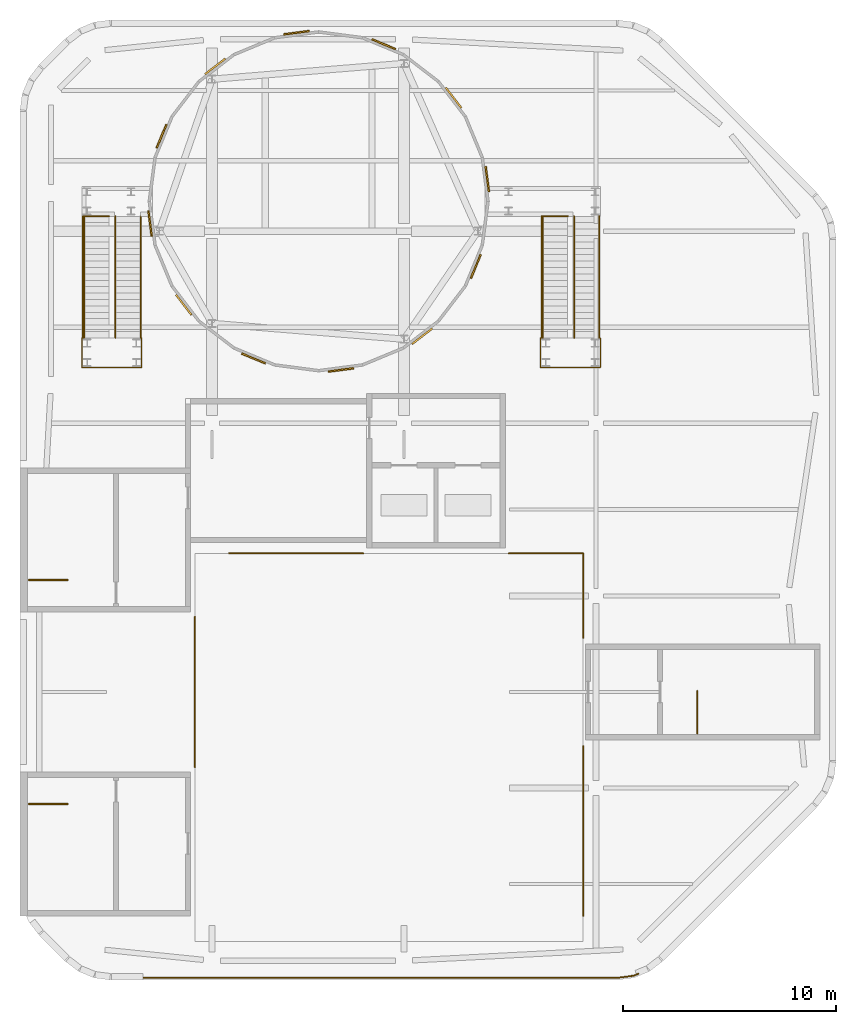
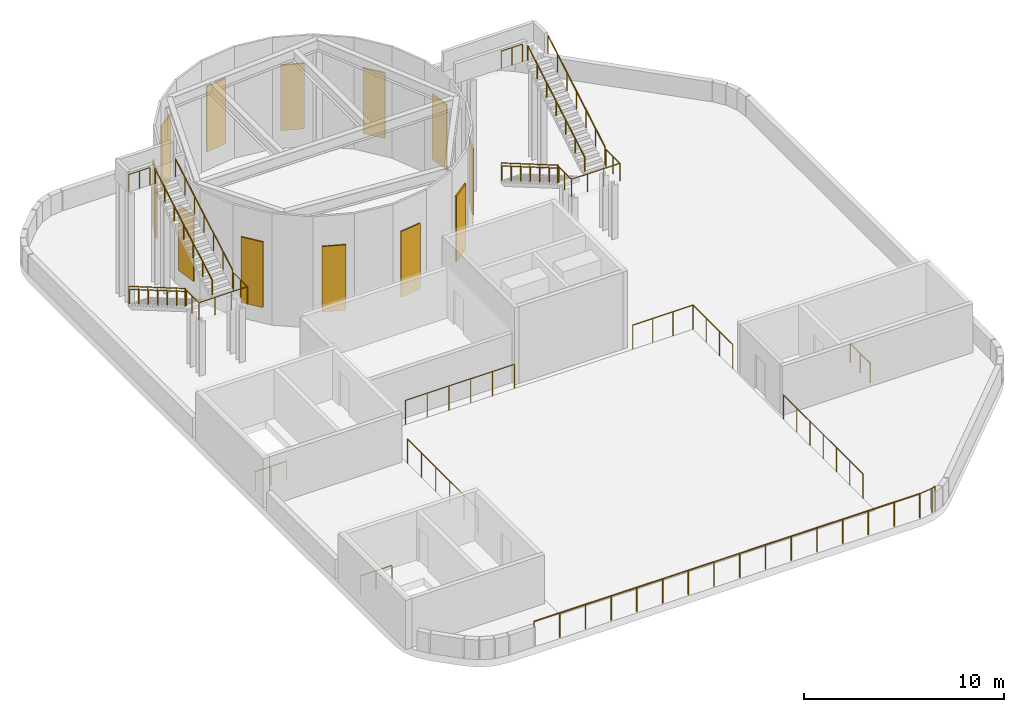
# One storey, part 5 of 6: 21 railings, 12 shading devices, 2 elements without a shape of their own.
"""IFC4 building model written with IfcOpenShell, lengths in metres."""

from ifc_helpers import new_model, si_unit, direction, frame, origin, origin_2d, place, context, subcontext, project, spatial, rectangle, circle, extrude, material, type_object, element, aggregate, save


model = new_model("IFC4")

# Units and contexts
model_context = context("Model", 3, precision=1e-05, world=origin(), true_north=direction((0.0, 1.0)))
body_context = subcontext(model_context, "Body", "Model", "MODEL_VIEW")
ifc_project = project(units=[si_unit("LENGTHUNIT", "METRE"), si_unit("AREAUNIT", "SQUARE_METRE"), si_unit("VOLUMEUNIT", "CUBIC_METRE"), si_unit("PLANEANGLEUNIT", "RADIAN"), si_unit("MASSUNIT", "GRAM", prefix="KILO")], contexts=[model_context])

# Site, building, storey
site_placement = place(None, origin())
site = spatial("IfcSite", under=ifc_project, at=site_placement, CompositionType="ELEMENT")
building_placement = place(site_placement, origin())
building = spatial("IfcBuilding", under=site, at=building_placement, Name="Cinnabar Reach Civic Tower", CompositionType="ELEMENT")
storey_placement = place(building_placement, frame((0.0, 0.0, 298.0)))
storey = spatial("IfcBuildingStorey", under=building, at=storey_placement, Name="Roof", CompositionType="ELEMENT", Elevation=298.0)

# Shading devices
ifc_material_1 = material(Name="Aluminium louvre", Category="aluminium")
shading_device_type = type_object("IfcShadingDeviceType", Name="Facade plant louvre", PredefinedType="JALOUSIE", material=ifc_material_1)
for number, where, z_axis, x_axis, name in (
    (1, (21.9034, 55.5405, 1.0), (0.0, 0.0, 1.0), (-0.13052619222, 0.991444861374, 0.0), "Plant louvre"),
    (2, (20.3243, 59.3528, 1.0), (0.0, 0.0, 1.0), (-0.608761429009, 0.793353340291, 0.0), "Plant louvre"),
    (3, (17.0506, 61.8648, 1.0), (0.0, 0.0, 1.0), (-0.923879532511, 0.382683432365, 0.0), "Plant louvre"),
    (4, (12.9595, 62.4034, 1.0), (0.0, 0.0, 1.0), (-0.991444861374, -0.13052619222, 0.0), "Plant louvre"),
    (5, (9.1472, 60.8243, 1.0), (0.0, 0.0, 1.0), (-0.793353340291, -0.608761429009, 0.0), "Plant louvre"),
    (6, (6.6352, 57.5506, 1.0), (0.0, 0.0, 1.0), (-0.382683432365, -0.923879532511, 0.0), "Plant louvre"),
    (7, (6.0966, 53.4595, 1.0), (0.0, 0.0, 1.0), (0.13052619222, -0.991444861374, 0.0), "Plant louvre"),
    (8, (7.6757, 49.6472, 1.0), (0.0, 0.0, 1.0), (0.608761429009, -0.793353340291, 0.0), "Plant louvre"),
    (9, (10.9494, 47.1352, 1.0), (0.0, 0.0, 1.0), (0.923879532511, -0.382683432365, 0.0), "Plant louvre"),
    (10, (15.0405, 46.5966, 1.0), (0.0, 0.0, 1.0), (0.991444861374, 0.13052619222, 0.0), "Plant louvre"),
    (11, (18.8528, 48.1757, 1.0), (0.0, 0.0, 1.0), (0.793353340291, 0.608761429009, 0.0), "Plant louvre"),
    (12, (21.3648, 51.4494, 1.0), (0.0, 0.0, 1.0), (0.382683432365, 0.923879532511, 0.0), "Plant louvre"),
):
    element("IfcShadingDevice", number, at=place(storey_placement, frame(where, z_axis=z_axis, x_axis=x_axis)), inside=storey, type_object=shading_device_type, Name=name, PredefinedType="JALOUSIE", context=body_context, shape_type="SweptSolid", body=[
        extrude(rectangle(XDim=1.2, YDim=0.08, at=origin_2d()), origin(), (0.0, 0.0, 1.0), 4.0),
    ])

# Railings
ifc_material_2 = material(Name="Stainless steel", Category="steel")
railing_type_1 = type_object("IfcRailingType", Name="Helipad safety net guard", PredefinedType="GUARDRAIL", material=ifc_material_2)
railing_1_placement = place(storey_placement, frame((28.9925, 18.2969, 0.0)))
element("IfcRailing", 13, at=railing_1_placement, inside=storey, type_object=railing_type_1, Name="Helipad safety net guard", PredefinedType="GUARDRAIL", context=body_context, shape_type="SweptSolid", body=[
    extrude(circle(Radius=0.024, at=origin_2d()), frame((0.0, 0.0, 1.476), z_axis=(-0.923820185175, -0.382826678098, 0.0), x_axis=(0.382826678098, -0.923820185175, 0.0)), (0.0, 0.0, 1.0), 0.2542),
    extrude(circle(Radius=0.024, at=origin_2d()), frame((-0.2348, -0.0973, 1.476), z_axis=(-0.991452957962, -0.130464677782, 0.0), x_axis=(0.130464677782, -0.991452957962, 0.0)), (0.0, 0.0, 1.0), 0.7634),
    extrude(circle(Radius=0.021, at=origin_2d()), origin(), (0.0, 0.0, 1.0), 1.452),
    extrude(circle(Radius=0.021, at=origin_2d()), frame((-0.2348, -0.0973, 0.0)), (0.0, 0.0, 1.0), 1.452),
    extrude(circle(Radius=0.021, at=origin_2d()), frame((-0.9917, -0.1969, 0.0)), (0.0, 0.0, 1.0), 1.452),
])
railing_2_placement = place(storey_placement, frame((28.0008, 18.1, 0.0)))
element("IfcRailing", 14, at=railing_2_placement, inside=storey, type_object=railing_type_1, Name="Helipad safety net guard", PredefinedType="GUARDRAIL", context=body_context, shape_type="SweptSolid", body=[
    extrude(circle(Radius=0.024, at=origin_2d()), frame((0.0, 0.0, 1.476), z_axis=(-1.0, 0.0, 0.0), x_axis=(0.0, -1.0, 0.0)), (0.0, 0.0, 1.0), 22.2705),
    extrude(circle(Radius=0.021, at=origin_2d()), origin(), (0.0, 0.0, 1.0), 1.452),
    extrude(circle(Radius=0.021, at=origin_2d()), frame((-1.4847, 0.0, 0.0)), (0.0, 0.0, 1.0), 1.452),
    extrude(circle(Radius=0.021, at=origin_2d()), frame((-2.9694, 0.0, 0.0)), (0.0, 0.0, 1.0), 1.452),
    extrude(circle(Radius=0.021, at=origin_2d()), frame((-4.4541, 0.0, 0.0)), (0.0, 0.0, 1.0), 1.452),
    extrude(circle(Radius=0.021, at=origin_2d()), frame((-5.9388, 0.0, 0.0)), (0.0, 0.0, 1.0), 1.452),
    extrude(circle(Radius=0.021, at=origin_2d()), frame((-7.4235, 0.0, 0.0)), (0.0, 0.0, 1.0), 1.452),
    extrude(circle(Radius=0.021, at=origin_2d()), frame((-8.9082, 0.0, 0.0)), (0.0, 0.0, 1.0), 1.452),
    extrude(circle(Radius=0.021, at=origin_2d()), frame((-10.3929, 0.0, 0.0)), (0.0, 0.0, 1.0), 1.452),
    extrude(circle(Radius=0.021, at=origin_2d()), frame((-11.8776, 0.0, 0.0)), (0.0, 0.0, 1.0), 1.452),
    extrude(circle(Radius=0.021, at=origin_2d()), frame((-13.3623, 0.0, 0.0)), (0.0, 0.0, 1.0), 1.452),
    extrude(circle(Radius=0.021, at=origin_2d()), frame((-14.847, 0.0, 0.0)), (0.0, 0.0, 1.0), 1.452),
    extrude(circle(Radius=0.021, at=origin_2d()), frame((-16.3317, 0.0, 0.0)), (0.0, 0.0, 1.0), 1.452),
    extrude(circle(Radius=0.021, at=origin_2d()), frame((-17.8164, 0.0, 0.0)), (0.0, 0.0, 1.0), 1.452),
    extrude(circle(Radius=0.021, at=origin_2d()), frame((-19.3011, 0.0, 0.0)), (0.0, 0.0, 1.0), 1.452),
    extrude(circle(Radius=0.021, at=origin_2d()), frame((-20.7858, 0.0, 0.0)), (0.0, 0.0, 1.0), 1.452),
    extrude(circle(Radius=0.021, at=origin_2d()), frame((-22.2705, 0.0, 0.0)), (0.0, 0.0, 1.0), 1.452),
])
railing_3_placement = place(storey_placement, frame((26.4, 21.0, 0.0)))
element("IfcRailing", 15, at=railing_3_placement, inside=storey, type_object=railing_type_1, Name="Helipad safety net guard", PredefinedType="GUARDRAIL", context=body_context, shape_type="SweptSolid", body=[
    extrude(circle(Radius=0.024, at=origin_2d()), frame((0.0, 0.0, 1.476), z_axis=(0.0, 1.0, 0.0), x_axis=(-1.0, 0.0, 0.0)), (0.0, 0.0, 1.0), 7.9675),
    extrude(circle(Radius=0.021, at=origin_2d()), origin(), (0.0, 0.0, 1.0), 1.452),
    extrude(circle(Radius=0.021, at=origin_2d()), frame((0.0, 1.3279, 0.0)), (0.0, 0.0, 1.0), 1.452),
    extrude(circle(Radius=0.021, at=origin_2d()), frame((0.0, 2.6558, 0.0)), (0.0, 0.0, 1.0), 1.452),
    extrude(circle(Radius=0.021, at=origin_2d()), frame((0.0, 3.9838, 0.0)), (0.0, 0.0, 1.0), 1.452),
    extrude(circle(Radius=0.021, at=origin_2d()), frame((0.0, 5.3117, 0.0)), (0.0, 0.0, 1.0), 1.452),
    extrude(circle(Radius=0.021, at=origin_2d()), frame((0.0, 6.6396, 0.0)), (0.0, 0.0, 1.0), 1.452),
    extrude(circle(Radius=0.021, at=origin_2d()), frame((0.0, 7.9675, 0.0)), (0.0, 0.0, 1.0), 1.452),
])
railing_4_placement = place(storey_placement, frame((26.4, 34.0325, 0.0)))
element("IfcRailing", 16, at=railing_4_placement, inside=storey, type_object=railing_type_1, Name="Helipad safety net guard", PredefinedType="GUARDRAIL", context=body_context, shape_type="SweptSolid", body=[
    extrude(circle(Radius=0.024, at=origin_2d()), frame((0.0, 0.0, 1.476), z_axis=(0.0, 1.0, 0.0), x_axis=(-1.0, 0.0, 0.0)), (0.0, 0.0, 1.0), 3.9675),
    extrude(circle(Radius=0.024, at=origin_2d()), frame((0.0, 3.9675, 1.476), z_axis=(-1.0, 0.0, 0.0), x_axis=(0.0, -1.0, 0.0)), (0.0, 0.0, 1.0), 3.4843),
    extrude(circle(Radius=0.021, at=origin_2d()), origin(), (0.0, 0.0, 1.0), 1.452),
    extrude(circle(Radius=0.021, at=origin_2d()), frame((0.0, 1.3225, 0.0)), (0.0, 0.0, 1.0), 1.452),
    extrude(circle(Radius=0.021, at=origin_2d()), frame((0.0, 2.645, 0.0)), (0.0, 0.0, 1.0), 1.452),
    extrude(circle(Radius=0.021, at=origin_2d()), frame((0.0, 3.9675, 0.0)), (0.0, 0.0, 1.0), 1.452),
    extrude(circle(Radius=0.021, at=origin_2d()), frame((-1.1614, 3.9675, 0.0)), (0.0, 0.0, 1.0), 1.452),
    extrude(circle(Radius=0.021, at=origin_2d()), frame((-2.3229, 3.9675, 0.0)), (0.0, 0.0, 1.0), 1.452),
    extrude(circle(Radius=0.021, at=origin_2d()), frame((-3.4843, 3.9675, 0.0)), (0.0, 0.0, 1.0), 1.452),
])
railing_5_placement = place(storey_placement, frame((16.0843, 38.0, 0.0)))
element("IfcRailing", 17, at=railing_5_placement, inside=storey, type_object=railing_type_1, Name="Helipad safety net guard", PredefinedType="GUARDRAIL", context=body_context, shape_type="SweptSolid", body=[
    extrude(circle(Radius=0.024, at=origin_2d()), frame((0.0, 0.0, 1.476), z_axis=(-1.0, 0.0, 0.0), x_axis=(0.0, -1.0, 0.0)), (0.0, 0.0, 1.0), 6.2843),
    extrude(circle(Radius=0.021, at=origin_2d()), origin(), (0.0, 0.0, 1.0), 1.452),
    extrude(circle(Radius=0.021, at=origin_2d()), frame((-1.2569, 0.0, 0.0)), (0.0, 0.0, 1.0), 1.452),
    extrude(circle(Radius=0.021, at=origin_2d()), frame((-2.5137, 0.0, 0.0)), (0.0, 0.0, 1.0), 1.452),
    extrude(circle(Radius=0.021, at=origin_2d()), frame((-3.7706, 0.0, 0.0)), (0.0, 0.0, 1.0), 1.452),
    extrude(circle(Radius=0.021, at=origin_2d()), frame((-5.0274, 0.0, 0.0)), (0.0, 0.0, 1.0), 1.452),
    extrude(circle(Radius=0.021, at=origin_2d()), frame((-6.2843, 0.0, 0.0)), (0.0, 0.0, 1.0), 1.452),
])
railing_6_placement = place(storey_placement, frame((8.2, 35.0269, 0.0)))
element("IfcRailing", 18, at=railing_6_placement, inside=storey, type_object=railing_type_1, Name="Helipad safety net guard", PredefinedType="GUARDRAIL", context=body_context, shape_type="SweptSolid", body=[
    extrude(circle(Radius=0.024, at=origin_2d()), frame((0.0, 0.0, 1.476), z_axis=(0.0, -1.0, 0.0), x_axis=(1.0, 0.0, 0.0)), (0.0, 0.0, 1.0), 7.0538),
    extrude(circle(Radius=0.021, at=origin_2d()), origin(), (0.0, 0.0, 1.0), 1.452),
    extrude(circle(Radius=0.021, at=origin_2d()), frame((0.0, -1.4108, 0.0)), (0.0, 0.0, 1.0), 1.452),
    extrude(circle(Radius=0.021, at=origin_2d()), frame((0.0, -2.8215, 0.0)), (0.0, 0.0, 1.0), 1.452),
    extrude(circle(Radius=0.021, at=origin_2d()), frame((0.0, -4.2323, 0.0)), (0.0, 0.0, 1.0), 1.452),
    extrude(circle(Radius=0.021, at=origin_2d()), frame((0.0, -5.643, 0.0)), (0.0, 0.0, 1.0), 1.452),
    extrude(circle(Radius=0.021, at=origin_2d()), frame((0.0, -7.0538, 0.0)), (0.0, 0.0, 1.0), 1.452),
])

# Stair, railings
ifc_material_3 = material(Name="Concrete C40/50", Category="concrete")
stair_type = type_object("IfcStairType", Name="T1 Exit stair, half-turn", PredefinedType="HALF_TURN_STAIR", material=ifc_material_3)
stair_1_placement = place(storey_placement, origin())
stair_1 = element("IfcStair", 19, at=stair_1_placement, inside=storey, type_object=stair_type, Name="Stair T1-RS1", PredefinedType="HALF_TURN_STAIR")
ifc_material_4 = material(Name="Stainless steel tube", Category="steel")
railing_type_2 = type_object("IfcRailingType", Name="T1 Stair handrail, stainless tube 48", PredefinedType="HANDRAIL", material=ifc_material_4)
railing_7_placement = place(storey_placement, frame((3.0, 53.8, 0.175)))
railing_7 = element("IfcRailing", 20, at=railing_7_placement, type_object=railing_type_2, Name="T1-RS1 handrail 1", PredefinedType="HANDRAIL", context=body_context, shape_type="SweptSolid", body=[
    extrude(circle(Radius=0.024, at=origin_2d()), frame((0.0, 0.0, 0.876), z_axis=(0.0, -0.863778900898, 0.503871025524), x_axis=(1.0, 0.0, 0.0)), (0.0, 0.0, 1.0), 6.5989),
    extrude(circle(Radius=0.021, at=origin_2d()), origin(), (0.0, 0.0, 1.0), 0.852),
    extrude(circle(Radius=0.021, at=origin_2d()), frame((0.0, -0.95, 0.5542)), (0.0, 0.0, 1.0), 0.852),
    extrude(circle(Radius=0.021, at=origin_2d()), frame((0.0, -1.9, 1.1083)), (0.0, 0.0, 1.0), 0.852),
    extrude(circle(Radius=0.021, at=origin_2d()), frame((0.0, -2.85, 1.6625)), (0.0, 0.0, 1.0), 0.852),
    extrude(circle(Radius=0.021, at=origin_2d()), frame((0.0, -3.8, 2.2167)), (0.0, 0.0, 1.0), 0.852),
    extrude(circle(Radius=0.021, at=origin_2d()), frame((0.0, -4.75, 2.7708)), (0.0, 0.0, 1.0), 0.852),
    extrude(circle(Radius=0.021, at=origin_2d()), frame((0.0, -5.7, 3.325)), (0.0, 0.0, 1.0), 0.852),
])
railing_8_placement = place(storey_placement, frame((4.475, 48.1, 3.675)))
railing_8 = element("IfcRailing", 21, at=railing_8_placement, type_object=railing_type_2, Name="T1-RS1 handrail 2", PredefinedType="HANDRAIL", context=body_context, shape_type="SweptSolid", body=[
    extrude(circle(Radius=0.024, at=origin_2d()), frame((0.0, 0.0, 0.876), z_axis=(0.0, 0.863778900898, 0.503871025524), x_axis=(-1.0, 0.0, 0.0)), (0.0, 0.0, 1.0), 6.5989),
    extrude(circle(Radius=0.021, at=origin_2d()), origin(), (0.0, 0.0, 1.0), 0.852),
    extrude(circle(Radius=0.021, at=origin_2d()), frame((0.0, 0.95, 0.5542)), (0.0, 0.0, 1.0), 0.852),
    extrude(circle(Radius=0.021, at=origin_2d()), frame((0.0, 1.9, 1.1083)), (0.0, 0.0, 1.0), 0.852),
    extrude(circle(Radius=0.021, at=origin_2d()), frame((0.0, 2.85, 1.6625)), (0.0, 0.0, 1.0), 0.852),
    extrude(circle(Radius=0.021, at=origin_2d()), frame((0.0, 3.8, 2.2167)), (0.0, 0.0, 1.0), 0.852),
    extrude(circle(Radius=0.021, at=origin_2d()), frame((0.0, 4.75, 2.7708)), (0.0, 0.0, 1.0), 0.852),
    extrude(circle(Radius=0.021, at=origin_2d()), frame((0.0, 5.7, 3.325)), (0.0, 0.0, 1.0), 0.852),
])

stair_2_placement = place(storey_placement, origin())
stair_2 = element("IfcStair", 22, at=stair_2_placement, inside=storey, type_object=stair_type, Name="Stair T1-RS2", PredefinedType="HALF_TURN_STAIR")
railing_9_placement = place(storey_placement, frame((24.5, 53.8, 0.175)))
railing_9 = element("IfcRailing", 23, at=railing_9_placement, type_object=railing_type_2, Name="T1-RS2 handrail 1", PredefinedType="HANDRAIL", context=body_context, shape_type="SweptSolid", body=[
    extrude(circle(Radius=0.024, at=origin_2d()), frame((0.0, 0.0, 0.876), z_axis=(0.0, -0.863778900898, 0.503871025524), x_axis=(1.0, 0.0, 0.0)), (0.0, 0.0, 1.0), 6.5989),
    extrude(circle(Radius=0.021, at=origin_2d()), origin(), (0.0, 0.0, 1.0), 0.852),
    extrude(circle(Radius=0.021, at=origin_2d()), frame((0.0, -0.95, 0.5542)), (0.0, 0.0, 1.0), 0.852),
    extrude(circle(Radius=0.021, at=origin_2d()), frame((0.0, -1.9, 1.1083)), (0.0, 0.0, 1.0), 0.852),
    extrude(circle(Radius=0.021, at=origin_2d()), frame((0.0, -2.85, 1.6625)), (0.0, 0.0, 1.0), 0.852),
    extrude(circle(Radius=0.021, at=origin_2d()), frame((0.0, -3.8, 2.2167)), (0.0, 0.0, 1.0), 0.852),
    extrude(circle(Radius=0.021, at=origin_2d()), frame((0.0, -4.75, 2.7708)), (0.0, 0.0, 1.0), 0.852),
    extrude(circle(Radius=0.021, at=origin_2d()), frame((0.0, -5.7, 3.325)), (0.0, 0.0, 1.0), 0.852),
])
railing_10_placement = place(storey_placement, frame((25.975, 48.1, 3.675)))
railing_10 = element("IfcRailing", 24, at=railing_10_placement, type_object=railing_type_2, Name="T1-RS2 handrail 2", PredefinedType="HANDRAIL", context=body_context, shape_type="SweptSolid", body=[
    extrude(circle(Radius=0.024, at=origin_2d()), frame((0.0, 0.0, 0.876), z_axis=(0.0, 0.863778900898, 0.503871025524), x_axis=(-1.0, 0.0, 0.0)), (0.0, 0.0, 1.0), 6.5989),
    extrude(circle(Radius=0.021, at=origin_2d()), origin(), (0.0, 0.0, 1.0), 0.852),
    extrude(circle(Radius=0.021, at=origin_2d()), frame((0.0, 0.95, 0.5542)), (0.0, 0.0, 1.0), 0.852),
    extrude(circle(Radius=0.021, at=origin_2d()), frame((0.0, 1.9, 1.1083)), (0.0, 0.0, 1.0), 0.852),
    extrude(circle(Radius=0.021, at=origin_2d()), frame((0.0, 2.85, 1.6625)), (0.0, 0.0, 1.0), 0.852),
    extrude(circle(Radius=0.021, at=origin_2d()), frame((0.0, 3.8, 2.2167)), (0.0, 0.0, 1.0), 0.852),
    extrude(circle(Radius=0.021, at=origin_2d()), frame((0.0, 4.75, 2.7708)), (0.0, 0.0, 1.0), 0.852),
    extrude(circle(Radius=0.021, at=origin_2d()), frame((0.0, 5.7, 3.325)), (0.0, 0.0, 1.0), 0.852),
])

# Railing
ifc_material_5 = material(Name="Stainless steel and laminated glass", Category="steel")
railing_type_3 = type_object("IfcRailingType", Name="T1 stair guard, stainless balustrade 1100", PredefinedType="GUARDRAIL", material=ifc_material_5)
railing_11_placement = place(storey_placement, frame((2.95, 53.8, 7.0)))
railing_11 = element("IfcRailing", 25, at=railing_11_placement, type_object=railing_type_3, Name="T1-RS1 guard top landing", PredefinedType="GUARDRAIL", context=body_context, shape_type="SweptSolid", body=[
    extrude(circle(Radius=0.024, at=origin_2d()), frame((0.0, 0.0, 1.076), z_axis=(1.0, 0.0, 0.0), x_axis=(0.0, 1.0, 0.0)), (0.0, 0.0, 1.0), 1.225),
    extrude(circle(Radius=0.021, at=origin_2d()), origin(), (0.0, 0.0, 1.0), 1.052),
    extrude(circle(Radius=0.021, at=origin_2d()), frame((0.6125, 0.0, 0.0)), (0.0, 0.0, 1.0), 1.052),
    extrude(circle(Radius=0.021, at=origin_2d()), frame((1.225, 0.0, 0.0)), (0.0, 0.0, 1.0), 1.052),
])

aggregate(stair_1, [railing_7, railing_8, railing_11])

# Railings
railing_12_placement = place(storey_placement, frame((2.95, 53.8, 0.175)))
element("IfcRailing", 26, at=railing_12_placement, inside=storey, type_object=railing_type_3, Name="T1-RS1 guard flight 1", PredefinedType="GUARDRAIL", context=body_context, shape_type="SweptSolid", body=[
    extrude(circle(Radius=0.024, at=origin_2d()), frame((0.0, 0.0, 1.076), z_axis=(0.0, -0.863778900898, 0.503871025524), x_axis=(1.0, 0.0, 0.0)), (0.0, 0.0, 1.0), 6.5989),
    extrude(circle(Radius=0.021, at=origin_2d()), origin(), (0.0, 0.0, 1.0), 1.052),
    extrude(circle(Radius=0.021, at=origin_2d()), frame((0.0, -0.95, 0.5542)), (0.0, 0.0, 1.0), 1.052),
    extrude(circle(Radius=0.021, at=origin_2d()), frame((0.0, -1.9, 1.1083)), (0.0, 0.0, 1.0), 1.052),
    extrude(circle(Radius=0.021, at=origin_2d()), frame((0.0, -2.85, 1.6625)), (0.0, 0.0, 1.0), 1.052),
    extrude(circle(Radius=0.021, at=origin_2d()), frame((0.0, -3.8, 2.2167)), (0.0, 0.0, 1.0), 1.052),
    extrude(circle(Radius=0.021, at=origin_2d()), frame((0.0, -4.75, 2.7708)), (0.0, 0.0, 1.0), 1.052),
    extrude(circle(Radius=0.021, at=origin_2d()), frame((0.0, -5.7, 3.325)), (0.0, 0.0, 1.0), 1.052),
])
railing_13_placement = place(storey_placement, frame((5.65, 48.1, 3.675)))
element("IfcRailing", 27, at=railing_13_placement, inside=storey, type_object=railing_type_3, Name="T1-RS1 guard flight 2", PredefinedType="GUARDRAIL", context=body_context, shape_type="SweptSolid", body=[
    extrude(circle(Radius=0.024, at=origin_2d()), frame((0.0, 0.0, 1.076), z_axis=(0.0, 0.863778900898, 0.503871025524), x_axis=(-1.0, 0.0, 0.0)), (0.0, 0.0, 1.0), 6.5989),
    extrude(circle(Radius=0.021, at=origin_2d()), origin(), (0.0, 0.0, 1.0), 1.052),
    extrude(circle(Radius=0.021, at=origin_2d()), frame((0.0, 0.95, 0.5542)), (0.0, 0.0, 1.0), 1.052),
    extrude(circle(Radius=0.021, at=origin_2d()), frame((0.0, 1.9, 1.1083)), (0.0, 0.0, 1.0), 1.052),
    extrude(circle(Radius=0.021, at=origin_2d()), frame((0.0, 2.85, 1.6625)), (0.0, 0.0, 1.0), 1.052),
    extrude(circle(Radius=0.021, at=origin_2d()), frame((0.0, 3.8, 2.2167)), (0.0, 0.0, 1.0), 1.052),
    extrude(circle(Radius=0.021, at=origin_2d()), frame((0.0, 4.75, 2.7708)), (0.0, 0.0, 1.0), 1.052),
    extrude(circle(Radius=0.021, at=origin_2d()), frame((0.0, 5.7, 3.325)), (0.0, 0.0, 1.0), 1.052),
])
railing_14_placement = place(storey_placement, frame((2.9, 48.1, 3.5)))
element("IfcRailing", 28, at=railing_14_placement, inside=storey, type_object=railing_type_3, Name="T1-RS1 guard middle landing", PredefinedType="GUARDRAIL", context=body_context, shape_type="SweptSolid", body=[
    extrude(circle(Radius=0.024, at=origin_2d()), frame((0.0, 0.0, 1.076), z_axis=(0.0, -1.0, 0.0), x_axis=(1.0, 0.0, 0.0)), (0.0, 0.0, 1.0), 1.4),
    extrude(circle(Radius=0.024, at=origin_2d()), frame((0.0, -1.4, 1.076), z_axis=(1.0, 0.0, 0.0), x_axis=(0.0, 1.0, 0.0)), (0.0, 0.0, 1.0), 2.8),
    extrude(circle(Radius=0.024, at=origin_2d()), frame((2.8, -1.4, 1.076), z_axis=(0.0, 1.0, 0.0), x_axis=(-1.0, 0.0, 0.0)), (0.0, 0.0, 1.0), 1.4),
    extrude(circle(Radius=0.021, at=origin_2d()), origin(), (0.0, 0.0, 1.0), 1.052),
    extrude(circle(Radius=0.021, at=origin_2d()), frame((0.0, -0.7, 0.0)), (0.0, 0.0, 1.0), 1.052),
    extrude(circle(Radius=0.021, at=origin_2d()), frame((0.0, -1.4, 0.0)), (0.0, 0.0, 1.0), 1.052),
    extrude(circle(Radius=0.021, at=origin_2d()), frame((0.9333, -1.4, 0.0)), (0.0, 0.0, 1.0), 1.052),
    extrude(circle(Radius=0.021, at=origin_2d()), frame((1.8667, -1.4, 0.0)), (0.0, 0.0, 1.0), 1.052),
    extrude(circle(Radius=0.021, at=origin_2d()), frame((2.8, -1.4, 0.0)), (0.0, 0.0, 1.0), 1.052),
    extrude(circle(Radius=0.021, at=origin_2d()), frame((2.8, -0.7, 0.0)), (0.0, 0.0, 1.0), 1.052),
    extrude(circle(Radius=0.021, at=origin_2d()), frame((2.8, 0.0, 0.0)), (0.0, 0.0, 1.0), 1.052),
])

# Railing
railing_15_placement = place(storey_placement, frame((24.45, 53.8, 7.0)))
railing_15 = element("IfcRailing", 29, at=railing_15_placement, type_object=railing_type_3, Name="T1-RS2 guard top landing", PredefinedType="GUARDRAIL", context=body_context, shape_type="SweptSolid", body=[
    extrude(circle(Radius=0.024, at=origin_2d()), frame((0.0, 0.0, 1.076), z_axis=(1.0, 0.0, 0.0), x_axis=(0.0, 1.0, 0.0)), (0.0, 0.0, 1.0), 1.225),
    extrude(circle(Radius=0.021, at=origin_2d()), origin(), (0.0, 0.0, 1.0), 1.052),
    extrude(circle(Radius=0.021, at=origin_2d()), frame((0.6125, 0.0, 0.0)), (0.0, 0.0, 1.0), 1.052),
    extrude(circle(Radius=0.021, at=origin_2d()), frame((1.225, 0.0, 0.0)), (0.0, 0.0, 1.0), 1.052),
])

aggregate(stair_2, [railing_9, railing_10, railing_15])

# Railings
railing_16_placement = place(storey_placement, frame((24.45, 53.8, 0.175)))
element("IfcRailing", 30, at=railing_16_placement, inside=storey, type_object=railing_type_3, Name="T1-RS2 guard flight 1", PredefinedType="GUARDRAIL", context=body_context, shape_type="SweptSolid", body=[
    extrude(circle(Radius=0.024, at=origin_2d()), frame((0.0, 0.0, 1.076), z_axis=(0.0, -0.863778900898, 0.503871025524), x_axis=(1.0, 0.0, 0.0)), (0.0, 0.0, 1.0), 6.5989),
    extrude(circle(Radius=0.021, at=origin_2d()), origin(), (0.0, 0.0, 1.0), 1.052),
    extrude(circle(Radius=0.021, at=origin_2d()), frame((0.0, -0.95, 0.5542)), (0.0, 0.0, 1.0), 1.052),
    extrude(circle(Radius=0.021, at=origin_2d()), frame((0.0, -1.9, 1.1083)), (0.0, 0.0, 1.0), 1.052),
    extrude(circle(Radius=0.021, at=origin_2d()), frame((0.0, -2.85, 1.6625)), (0.0, 0.0, 1.0), 1.052),
    extrude(circle(Radius=0.021, at=origin_2d()), frame((0.0, -3.8, 2.2167)), (0.0, 0.0, 1.0), 1.052),
    extrude(circle(Radius=0.021, at=origin_2d()), frame((0.0, -4.75, 2.7708)), (0.0, 0.0, 1.0), 1.052),
    extrude(circle(Radius=0.021, at=origin_2d()), frame((0.0, -5.7, 3.325)), (0.0, 0.0, 1.0), 1.052),
])
railing_17_placement = place(storey_placement, frame((27.15, 48.1, 3.675)))
element("IfcRailing", 31, at=railing_17_placement, inside=storey, type_object=railing_type_3, Name="T1-RS2 guard flight 2", PredefinedType="GUARDRAIL", context=body_context, shape_type="SweptSolid", body=[
    extrude(circle(Radius=0.024, at=origin_2d()), frame((0.0, 0.0, 1.076), z_axis=(0.0, 0.863778900898, 0.503871025524), x_axis=(-1.0, 0.0, 0.0)), (0.0, 0.0, 1.0), 6.5989),
    extrude(circle(Radius=0.021, at=origin_2d()), origin(), (0.0, 0.0, 1.0), 1.052),
    extrude(circle(Radius=0.021, at=origin_2d()), frame((0.0, 0.95, 0.5542)), (0.0, 0.0, 1.0), 1.052),
    extrude(circle(Radius=0.021, at=origin_2d()), frame((0.0, 1.9, 1.1083)), (0.0, 0.0, 1.0), 1.052),
    extrude(circle(Radius=0.021, at=origin_2d()), frame((0.0, 2.85, 1.6625)), (0.0, 0.0, 1.0), 1.052),
    extrude(circle(Radius=0.021, at=origin_2d()), frame((0.0, 3.8, 2.2167)), (0.0, 0.0, 1.0), 1.052),
    extrude(circle(Radius=0.021, at=origin_2d()), frame((0.0, 4.75, 2.7708)), (0.0, 0.0, 1.0), 1.052),
    extrude(circle(Radius=0.021, at=origin_2d()), frame((0.0, 5.7, 3.325)), (0.0, 0.0, 1.0), 1.052),
])
railing_18_placement = place(storey_placement, frame((24.4, 48.1, 3.5)))
element("IfcRailing", 32, at=railing_18_placement, inside=storey, type_object=railing_type_3, Name="T1-RS2 guard middle landing", PredefinedType="GUARDRAIL", context=body_context, shape_type="SweptSolid", body=[
    extrude(circle(Radius=0.024, at=origin_2d()), frame((0.0, 0.0, 1.076), z_axis=(0.0, -1.0, 0.0), x_axis=(1.0, 0.0, 0.0)), (0.0, 0.0, 1.0), 1.4),
    extrude(circle(Radius=0.024, at=origin_2d()), frame((0.0, -1.4, 1.076), z_axis=(1.0, 0.0, 0.0), x_axis=(0.0, 1.0, 0.0)), (0.0, 0.0, 1.0), 2.8),
    extrude(circle(Radius=0.024, at=origin_2d()), frame((2.8, -1.4, 1.076), z_axis=(0.0, 1.0, 0.0), x_axis=(-1.0, 0.0, 0.0)), (0.0, 0.0, 1.0), 1.4),
    extrude(circle(Radius=0.021, at=origin_2d()), origin(), (0.0, 0.0, 1.0), 1.052),
    extrude(circle(Radius=0.021, at=origin_2d()), frame((0.0, -0.7, 0.0)), (0.0, 0.0, 1.0), 1.052),
    extrude(circle(Radius=0.021, at=origin_2d()), frame((0.0, -1.4, 0.0)), (0.0, 0.0, 1.0), 1.052),
    extrude(circle(Radius=0.021, at=origin_2d()), frame((0.9333, -1.4, 0.0)), (0.0, 0.0, 1.0), 1.052),
    extrude(circle(Radius=0.021, at=origin_2d()), frame((1.8667, -1.4, 0.0)), (0.0, 0.0, 1.0), 1.052),
    extrude(circle(Radius=0.021, at=origin_2d()), frame((2.8, -1.4, 0.0)), (0.0, 0.0, 1.0), 1.052),
    extrude(circle(Radius=0.021, at=origin_2d()), frame((2.8, -0.7, 0.0)), (0.0, 0.0, 1.0), 1.052),
    extrude(circle(Radius=0.021, at=origin_2d()), frame((2.8, 0.0, 0.0)), (0.0, 0.0, 1.0), 1.052),
])
for number, where, name in (
    (33, (0.41, 26.25, 0.0), "T1-S1 guard roof opening"),
    (34, (0.41, 36.75, 0.0), "T1-S2 guard roof opening"),
):
    element("IfcRailing", number, at=place(storey_placement, frame(where)), inside=storey, type_object=railing_type_3, Name=name, PredefinedType="GUARDRAIL", context=body_context, shape_type="SweptSolid", body=[
        extrude(circle(Radius=0.024, at=origin_2d()), frame((0.0, 0.0, 1.176), z_axis=(1.0, 0.0, 0.0), x_axis=(0.0, 1.0, 0.0)), (0.0, 0.0, 1.0), 1.82),
        extrude(circle(Radius=0.021, at=origin_2d()), origin(), (0.0, 0.0, 1.0), 1.152),
        extrude(circle(Radius=0.021, at=origin_2d()), frame((0.91, 0.0, 0.0)), (0.0, 0.0, 1.0), 1.152),
        extrude(circle(Radius=0.021, at=origin_2d()), frame((1.82, 0.0, 0.0)), (0.0, 0.0, 1.0), 1.152),
    ])
railing_19_placement = place(storey_placement, frame((31.75, 29.55, 0.0)))
element("IfcRailing", 35, at=railing_19_placement, inside=storey, type_object=railing_type_3, Name="T1-S3 guard roof opening", PredefinedType="GUARDRAIL", context=body_context, shape_type="SweptSolid", body=[
    extrude(circle(Radius=0.024, at=origin_2d()), frame((0.0, 0.0, 1.176), z_axis=(0.0, 1.0, 0.0), x_axis=(-1.0, 0.0, 0.0)), (0.0, 0.0, 1.0), 2.0),
    extrude(circle(Radius=0.021, at=origin_2d()), origin(), (0.0, 0.0, 1.0), 1.152),
    extrude(circle(Radius=0.021, at=origin_2d()), frame((0.0, 1.0, 0.0)), (0.0, 0.0, 1.0), 1.152),
    extrude(circle(Radius=0.021, at=origin_2d()), frame((0.0, 2.0, 0.0)), (0.0, 0.0, 1.0), 1.152),
])

save(model, "model.ifc")
